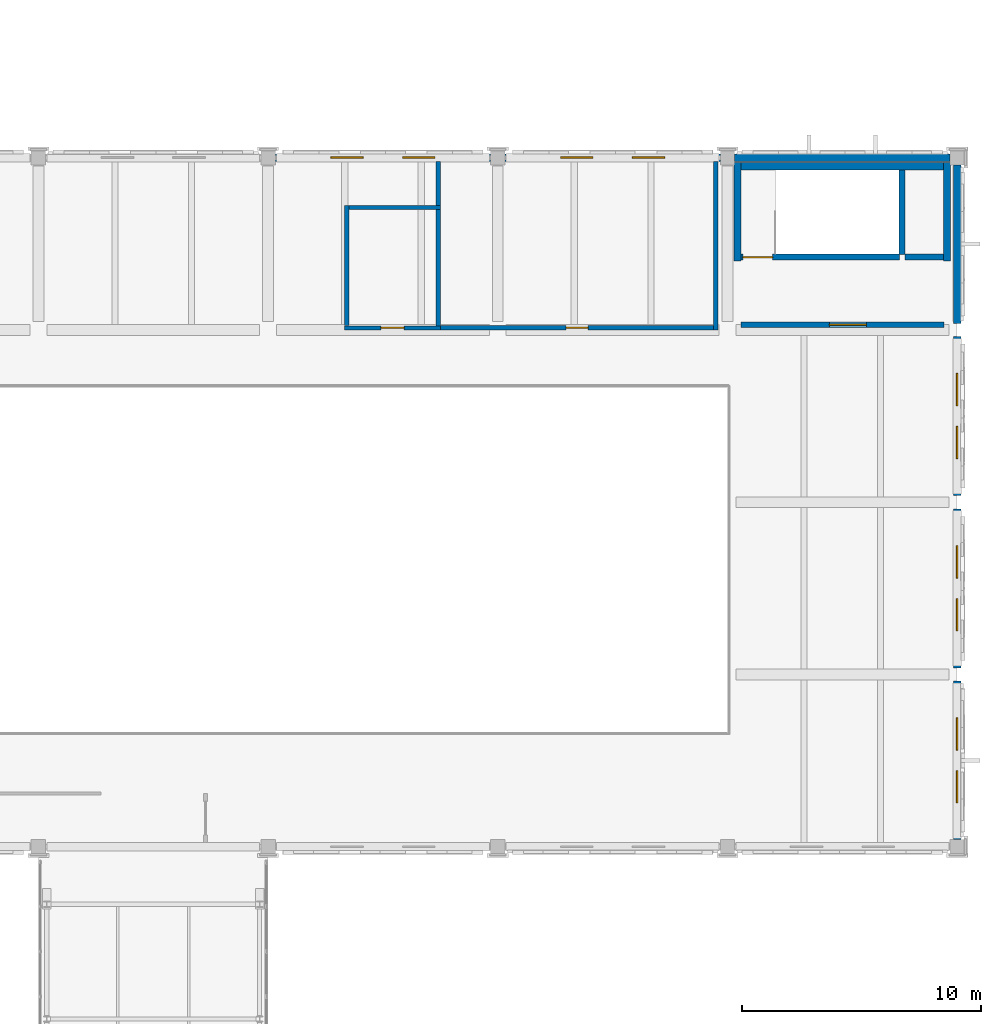
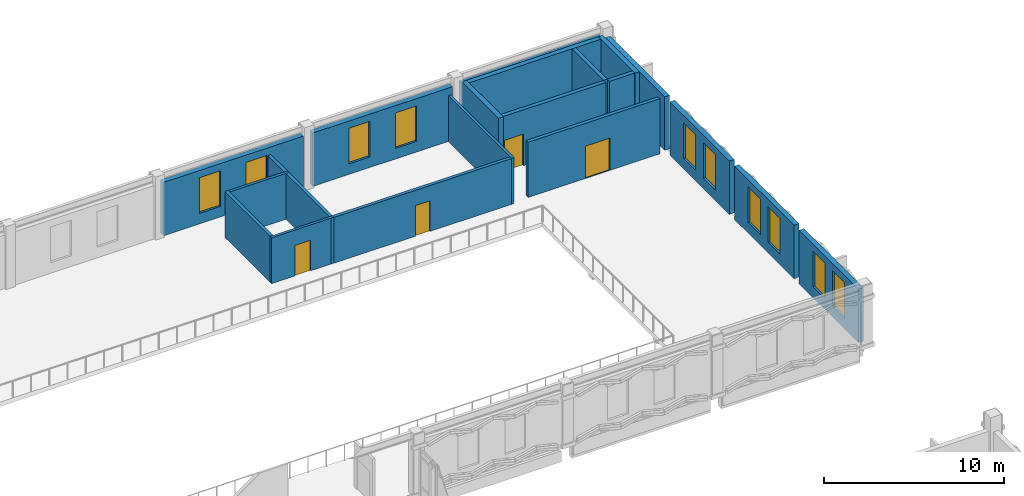
# One storey, part 158 of 180: 20 walls, 10 windows, 4 doors, 14 openings.
"""IFC4 building model written with IfcOpenShell, lengths in metres."""

from ifc_helpers import new_model, si_unit, direction, frame, frame_2d, origin, place, context, subcontext, project, spatial, rectangle, extrude, material, layer, layer_set, type_object, element, fill, save


model = new_model("IFC4")

# Units and contexts
model_context = context("Model", 3, precision=1e-05, world=origin(), true_north=direction((0.0, 1.0)))
body_context = subcontext(model_context, "Body", "Model", "MODEL_VIEW")
ifc_project = project(units=[si_unit("LENGTHUNIT", "METRE"), si_unit("AREAUNIT", "SQUARE_METRE"), si_unit("VOLUMEUNIT", "CUBIC_METRE"), si_unit("PLANEANGLEUNIT", "RADIAN"), si_unit("MASSUNIT", "GRAM", prefix="KILO")], contexts=[model_context])

# Site, building, storey
site_placement = place(None, origin())
site = spatial("IfcSite", under=ifc_project, at=site_placement, CompositionType="ELEMENT")
building_placement = place(site_placement, origin())
building = spatial("IfcBuilding", under=site, at=building_placement, Name="Asteropetra Specialist Clinic", CompositionType="ELEMENT")
storey_placement = place(building_placement, frame((0.0, 0.0, 4.419921875)))
storey = spatial("IfcBuildingStorey", under=building, at=storey_placement, Name="L01", CompositionType="ELEMENT", Elevation=4.419921875)

# Wall, openings, windows
ifc_material_1 = material(Name="Chevron terracotta deep", Category="masonry")
ifc_layer_1 = layer(ifc_material_1, 0.320068359375)
ifc_layer_set_1 = layer_set([ifc_layer_1], Name="Chevron terracotta deep")
wall_type_1 = type_object("IfcWallType", Name="EW-CHEV-TER-320", PredefinedType="SOLIDWALL", material=ifc_layer_set_1)
wall_1_placement = place(storey_placement, frame((134.10009765625, 105.60009765625, 0.0), z_axis=(0.0, 0.0, 1.0), x_axis=(-1.0, 0.0, 0.0)))
wall_1 = element("IfcWall", 1, at=wall_1_placement, inside=storey, type_object=wall_type_1, Name="Exterior Wall EW-0019", PredefinedType="SOLIDWALL", context=body_context, shape_type="SweptSolid", body=[
    extrude(rectangle(XDim=9.0, YDim=0.320068359375, at=frame_2d((4.5, 0.0))), origin(), (0.0, 0.0, 1.0), 3.630126953125),
])
opening_1_placement = place(wall_1_placement, frame((2.324951171875, 0.0, 0.719970703125)))
opening_1 = element("IfcOpeningElement", 2, at=opening_1_placement, cuts=wall_1, Name="Opening W-0019", PredefinedType="OPENING", context=body_context, shape_type="SweptSolid", body=[
    extrude(rectangle(XDim=1.35009765625, YDim=2.419921875, at=frame_2d((0.675048828125, 1.2099609375))), frame((0.0, 0.169921875, 0.0), z_axis=(0.0, -1.0, 0.0), x_axis=(1.0, 0.0, 0.0)), (0.0, 0.0, 1.0), 0.340087890625),
])
opening_2_placement = place(wall_1_placement, frame((5.324951171875, 0.0, 0.719970703125)))
opening_2 = element("IfcOpeningElement", 3, at=opening_2_placement, cuts=wall_1, Name="Opening W-0020", PredefinedType="OPENING", context=body_context, shape_type="SweptSolid", body=[
    extrude(rectangle(XDim=1.35009765625, YDim=2.419921875, at=frame_2d((0.675048828125, 1.2099609375))), frame((0.0, 0.169921875, 0.0), z_axis=(0.0, -1.0, 0.0), x_axis=(1.0, 0.0, 0.0)), (0.0, 0.0, 1.0), 0.340087890625),
])
ifc_material_2 = material(Name="Thermally broken bronze aluminium and low-E glass", Category="aluminium")
window_type = type_object("IfcWindowType", Name="WIN-T23", PartitioningType="DOUBLE_PANEL_VERTICAL", PredefinedType="WINDOW", material=ifc_material_2)
window_1_placement = place(opening_1_placement, origin())
window_1 = element("IfcWindow", 4, at=window_1_placement, inside=storey, type_object=window_type, Name="Window W-0019", OverallHeight=2.419921875, OverallWidth=1.35009765625, PartitioningType="SINGLE_PANEL", PredefinedType="WINDOW", context=body_context, shape_type="SweptSolid", body=[
    extrude(rectangle(XDim=1.35009765625, YDim=2.419921875, at=frame_2d((0.675048828125, 1.2099609375))), frame((0.0, 0.030029296875, 0.0), z_axis=(0.0, -1.0, 0.0), x_axis=(1.0, 0.0, 0.0)), (0.0, 0.0, 1.0), 0.06005859375),
])
fill(opening_1, window_1)
window_2_placement = place(opening_2_placement, origin())
window_2 = element("IfcWindow", 5, at=window_2_placement, inside=storey, type_object=window_type, Name="Window W-0020", OverallHeight=2.419921875, OverallWidth=1.35009765625, PartitioningType="SINGLE_PANEL", PredefinedType="WINDOW", context=body_context, shape_type="SweptSolid", body=[
    extrude(rectangle(XDim=1.35009765625, YDim=2.419921875, at=frame_2d((0.675048828125, 1.2099609375))), frame((0.0, 0.030029296875, 0.0), z_axis=(0.0, -1.0, 0.0), x_axis=(1.0, 0.0, 0.0)), (0.0, 0.0, 1.0), 0.06005859375),
])
fill(opening_2, window_2)

wall_2_placement = place(storey_placement, frame((143.699951171875, 105.60009765625, 0.0), z_axis=(0.0, 0.0, 1.0), x_axis=(-1.0, 0.0, 0.0)))
wall_2 = element("IfcWall", 6, at=wall_2_placement, inside=storey, type_object=wall_type_1, Name="Exterior Wall EW-0021", PredefinedType="SOLIDWALL", context=body_context, shape_type="SweptSolid", body=[
    extrude(rectangle(XDim=9.0, YDim=0.320068359375, at=frame_2d((4.5, 0.0))), origin(), (0.0, 0.0, 1.0), 3.630126953125),
])
opening_3_placement = place(wall_2_placement, frame((2.324951171875, 0.0, 0.719970703125)))
opening_3 = element("IfcOpeningElement", 7, at=opening_3_placement, cuts=wall_2, Name="Opening W-0023", PredefinedType="OPENING", context=body_context, shape_type="SweptSolid", body=[
    extrude(rectangle(XDim=1.35009765625, YDim=2.419921875, at=frame_2d((0.675048828125, 1.2099609375))), frame((0.0, 0.169921875, 0.0), z_axis=(0.0, -1.0, 0.0), x_axis=(1.0, 0.0, 0.0)), (0.0, 0.0, 1.0), 0.340087890625),
])
opening_4_placement = place(wall_2_placement, frame((5.324951171875, 0.0, 0.719970703125)))
opening_4 = element("IfcOpeningElement", 8, at=opening_4_placement, cuts=wall_2, Name="Opening W-0024", PredefinedType="OPENING", context=body_context, shape_type="SweptSolid", body=[
    extrude(rectangle(XDim=1.35009765625, YDim=2.419921875, at=frame_2d((0.675048828125, 1.2099609375))), frame((0.0, 0.169921875, 0.0), z_axis=(0.0, -1.0, 0.0), x_axis=(1.0, 0.0, 0.0)), (0.0, 0.0, 1.0), 0.340087890625),
])
window_3_placement = place(opening_3_placement, origin())
window_3 = element("IfcWindow", 9, at=window_3_placement, inside=storey, type_object=window_type, Name="Window W-0023", OverallHeight=2.419921875, OverallWidth=1.35009765625, PartitioningType="SINGLE_PANEL", PredefinedType="WINDOW", context=body_context, shape_type="SweptSolid", body=[
    extrude(rectangle(XDim=1.35009765625, YDim=2.419921875, at=frame_2d((0.675048828125, 1.2099609375))), frame((0.0, 0.030029296875, 0.0), z_axis=(0.0, -1.0, 0.0), x_axis=(1.0, 0.0, 0.0)), (0.0, 0.0, 1.0), 0.06005859375),
])
fill(opening_3, window_3)
window_4_placement = place(opening_4_placement, origin())
window_4 = element("IfcWindow", 10, at=window_4_placement, inside=storey, type_object=window_type, Name="Window W-0024", OverallHeight=2.419921875, OverallWidth=1.35009765625, PartitioningType="SINGLE_PANEL", PredefinedType="WINDOW", context=body_context, shape_type="SweptSolid", body=[
    extrude(rectangle(XDim=1.35009765625, YDim=2.419921875, at=frame_2d((0.675048828125, 1.2099609375))), frame((0.0, 0.030029296875, 0.0), z_axis=(0.0, -1.0, 0.0), x_axis=(1.0, 0.0, 0.0)), (0.0, 0.0, 1.0), 0.06005859375),
])
fill(opening_4, window_4)

# Wall
wall_3_placement = place(storey_placement, frame((153.300048828125, 105.60009765625, 0.0), z_axis=(0.0, 0.0, 1.0), x_axis=(-1.0, 0.0, 0.0)))
element("IfcWall", 11, at=wall_3_placement, inside=storey, type_object=wall_type_1, Name="Exterior Wall EW-0023", PredefinedType="SOLIDWALL", context=body_context, shape_type="SweptSolid", body=[
    extrude(rectangle(XDim=9.0, YDim=0.320068359375, at=frame_2d((4.5, 0.0))), origin(), (0.0, 0.0, 1.0), 3.630126953125),
])

# Wall, openings, windows
wall_4_placement = place(storey_placement, frame((153.60009765625, 77.10009765625, 0.0), z_axis=(0.0, 0.0, 1.0), x_axis=(0.0, 1.0, 0.0)))
wall_4 = element("IfcWall", 12, at=wall_4_placement, inside=storey, type_object=wall_type_1, Name="Exterior Wall EW-0024", PredefinedType="SOLIDWALL", context=body_context, shape_type="SweptSolid", body=[
    extrude(rectangle(XDim=6.619873046875, YDim=0.320068359375, at=frame_2d((3.31005859375, 0.0))), origin(), (0.0, 0.0, 1.0), 3.630126953125),
])
opening_5_placement = place(wall_4_placement, frame((1.53173828125, 0.0, 0.719970703125)))
opening_5 = element("IfcOpeningElement", 13, at=opening_5_placement, cuts=wall_4, Name="Opening W-0027", PredefinedType="OPENING", context=body_context, shape_type="SweptSolid", body=[
    extrude(rectangle(XDim=1.35009765625, YDim=2.419921875, at=frame_2d((0.675048828125, 1.2099609375))), frame((0.0, 0.169921875, 0.0), z_axis=(0.0, -1.0, 0.0), x_axis=(1.0, 0.0, 0.0)), (0.0, 0.0, 1.0), 0.340087890625),
])
opening_6_placement = place(wall_4_placement, frame((3.73828125, 0.0, 0.719970703125)))
opening_6 = element("IfcOpeningElement", 14, at=opening_6_placement, cuts=wall_4, Name="Opening W-0028", PredefinedType="OPENING", context=body_context, shape_type="SweptSolid", body=[
    extrude(rectangle(XDim=1.35009765625, YDim=2.419921875, at=frame_2d((0.675048828125, 1.2099609375))), frame((0.0, 0.169921875, 0.0), z_axis=(0.0, -1.0, 0.0), x_axis=(1.0, 0.0, 0.0)), (0.0, 0.0, 1.0), 0.340087890625),
])
window_5_placement = place(opening_5_placement, origin())
window_5 = element("IfcWindow", 15, at=window_5_placement, inside=storey, type_object=window_type, Name="Window W-0027", OverallHeight=2.419921875, OverallWidth=1.35009765625, PartitioningType="SINGLE_PANEL", PredefinedType="WINDOW", context=body_context, shape_type="SweptSolid", body=[
    extrude(rectangle(XDim=1.35009765625, YDim=2.419921875, at=frame_2d((0.675048828125, 1.2099609375))), frame((0.0, 0.030029296875, 0.0), z_axis=(0.0, -1.0, 0.0), x_axis=(1.0, 0.0, 0.0)), (0.0, 0.0, 1.0), 0.06005859375),
])
fill(opening_5, window_5)
window_6_placement = place(opening_6_placement, origin())
window_6 = element("IfcWindow", 16, at=window_6_placement, inside=storey, type_object=window_type, Name="Window W-0028", OverallHeight=2.419921875, OverallWidth=1.35009765625, PartitioningType="SINGLE_PANEL", PredefinedType="WINDOW", context=body_context, shape_type="SweptSolid", body=[
    extrude(rectangle(XDim=1.35009765625, YDim=2.419921875, at=frame_2d((0.675048828125, 1.2099609375))), frame((0.0, 0.030029296875, 0.0), z_axis=(0.0, -1.0, 0.0), x_axis=(1.0, 0.0, 0.0)), (0.0, 0.0, 1.0), 0.06005859375),
])
fill(opening_6, window_6)

wall_5_placement = place(storey_placement, frame((153.60009765625, 84.280029296875, 0.0), z_axis=(0.0, 0.0, 1.0), x_axis=(0.0, 1.0, 0.0)))
wall_5 = element("IfcWall", 17, at=wall_5_placement, inside=storey, type_object=wall_type_1, Name="Exterior Wall EW-0026", PredefinedType="SOLIDWALL", context=body_context, shape_type="SweptSolid", body=[
    extrude(rectangle(XDim=6.639892578125, YDim=0.320068359375, at=frame_2d((3.31982421875, 0.0))), origin(), (0.0, 0.0, 1.0), 3.630126953125),
])
opening_7_placement = place(wall_5_placement, frame((1.538330078125, 0.0, 0.719970703125)))
opening_7 = element("IfcOpeningElement", 18, at=opening_7_placement, cuts=wall_5, Name="Opening W-0031", PredefinedType="OPENING", context=body_context, shape_type="SweptSolid", body=[
    extrude(rectangle(XDim=1.35009765625, YDim=2.419921875, at=frame_2d((0.675048828125, 1.2099609375))), frame((0.0, 0.169921875, 0.0), z_axis=(0.0, -1.0, 0.0), x_axis=(1.0, 0.0, 0.0)), (0.0, 0.0, 1.0), 0.340087890625),
])
opening_8_placement = place(wall_5_placement, frame((3.751708984375, 0.0, 0.719970703125)))
opening_8 = element("IfcOpeningElement", 19, at=opening_8_placement, cuts=wall_5, Name="Opening W-0032", PredefinedType="OPENING", context=body_context, shape_type="SweptSolid", body=[
    extrude(rectangle(XDim=1.35009765625, YDim=2.419921875, at=frame_2d((0.675048828125, 1.2099609375))), frame((0.0, 0.169921875, 0.0), z_axis=(0.0, -1.0, 0.0), x_axis=(1.0, 0.0, 0.0)), (0.0, 0.0, 1.0), 0.340087890625),
])
window_7_placement = place(opening_7_placement, origin())
window_7 = element("IfcWindow", 20, at=window_7_placement, inside=storey, type_object=window_type, Name="Window W-0031", OverallHeight=2.419921875, OverallWidth=1.35009765625, PartitioningType="SINGLE_PANEL", PredefinedType="WINDOW", context=body_context, shape_type="SweptSolid", body=[
    extrude(rectangle(XDim=1.35009765625, YDim=2.419921875, at=frame_2d((0.675048828125, 1.2099609375))), frame((0.0, 0.030029296875, 0.0), z_axis=(0.0, -1.0, 0.0), x_axis=(1.0, 0.0, 0.0)), (0.0, 0.0, 1.0), 0.06005859375),
])
fill(opening_7, window_7)
window_8_placement = place(opening_8_placement, origin())
window_8 = element("IfcWindow", 21, at=window_8_placement, inside=storey, type_object=window_type, Name="Window W-0032", OverallHeight=2.419921875, OverallWidth=1.35009765625, PartitioningType="SINGLE_PANEL", PredefinedType="WINDOW", context=body_context, shape_type="SweptSolid", body=[
    extrude(rectangle(XDim=1.35009765625, YDim=2.419921875, at=frame_2d((0.675048828125, 1.2099609375))), frame((0.0, 0.030029296875, 0.0), z_axis=(0.0, -1.0, 0.0), x_axis=(1.0, 0.0, 0.0)), (0.0, 0.0, 1.0), 0.06005859375),
])
fill(opening_8, window_8)

wall_6_placement = place(storey_placement, frame((153.60009765625, 91.47998046875, 0.0), z_axis=(0.0, 0.0, 1.0), x_axis=(0.0, 1.0, 0.0)))
wall_6 = element("IfcWall", 22, at=wall_6_placement, inside=storey, type_object=wall_type_1, Name="Exterior Wall EW-0028", PredefinedType="SOLIDWALL", context=body_context, shape_type="SweptSolid", body=[
    extrude(rectangle(XDim=6.64013671875, YDim=0.320068359375, at=frame_2d((3.320068359375, 0.0))), origin(), (0.0, 0.0, 1.0), 3.630126953125),
])
opening_9_placement = place(wall_6_placement, frame((1.538330078125, 0.0, 0.719970703125)))
opening_9 = element("IfcOpeningElement", 23, at=opening_9_placement, cuts=wall_6, Name="Opening W-0035", PredefinedType="OPENING", context=body_context, shape_type="SweptSolid", body=[
    extrude(rectangle(XDim=1.35009765625, YDim=2.419921875, at=frame_2d((0.675048828125, 1.2099609375))), frame((0.0, 0.169921875, 0.0), z_axis=(0.0, -1.0, 0.0), x_axis=(1.0, 0.0, 0.0)), (0.0, 0.0, 1.0), 0.340087890625),
])
opening_10_placement = place(wall_6_placement, frame((3.751708984375, 0.0, 0.719970703125)))
opening_10 = element("IfcOpeningElement", 24, at=opening_10_placement, cuts=wall_6, Name="Opening W-0036", PredefinedType="OPENING", context=body_context, shape_type="SweptSolid", body=[
    extrude(rectangle(XDim=1.35009765625, YDim=2.419921875, at=frame_2d((0.675048828125, 1.2099609375))), frame((0.0, 0.169921875, 0.0), z_axis=(0.0, -1.0, 0.0), x_axis=(1.0, 0.0, 0.0)), (0.0, 0.0, 1.0), 0.340087890625),
])
window_9_placement = place(opening_9_placement, origin())
window_9 = element("IfcWindow", 25, at=window_9_placement, inside=storey, type_object=window_type, Name="Window W-0035", OverallHeight=2.419921875, OverallWidth=1.35009765625, PartitioningType="SINGLE_PANEL", PredefinedType="WINDOW", context=body_context, shape_type="SweptSolid", body=[
    extrude(rectangle(XDim=1.35009765625, YDim=2.419921875, at=frame_2d((0.675048828125, 1.2099609375))), frame((0.0, 0.030029296875, 0.0), z_axis=(0.0, -1.0, 0.0), x_axis=(1.0, 0.0, 0.0)), (0.0, 0.0, 1.0), 0.06005859375),
])
fill(opening_9, window_9)
window_10_placement = place(opening_10_placement, origin())
window_10 = element("IfcWindow", 26, at=window_10_placement, inside=storey, type_object=window_type, Name="Window W-0036", OverallHeight=2.419921875, OverallWidth=1.35009765625, PartitioningType="SINGLE_PANEL", PredefinedType="WINDOW", context=body_context, shape_type="SweptSolid", body=[
    extrude(rectangle(XDim=1.35009765625, YDim=2.419921875, at=frame_2d((0.675048828125, 1.2099609375))), frame((0.0, 0.030029296875, 0.0), z_axis=(0.0, -1.0, 0.0), x_axis=(1.0, 0.0, 0.0)), (0.0, 0.0, 1.0), 0.06005859375),
])
fill(opening_10, window_10)

# Wall
wall_7_placement = place(storey_placement, frame((153.60009765625, 98.679931640625, 0.0), z_axis=(0.0, 0.0, 1.0), x_axis=(0.0, 1.0, 0.0)))
element("IfcWall", 27, at=wall_7_placement, inside=storey, type_object=wall_type_1, Name="Exterior Wall EW-0030", PredefinedType="SOLIDWALL", context=body_context, shape_type="SweptSolid", body=[
    extrude(rectangle(XDim=6.6201171875, YDim=0.320068359375, at=frame_2d((3.31005859375, 0.0))), origin(), (0.0, 0.0, 1.0), 3.630126953125),
])

# Wall, opening, door
ifc_material_3 = material(Name="Fire-rated masonry and gypsum", Category="masonry")
ifc_layer_2 = layer(ifc_material_3, 0.219970703125)
ifc_layer_set_2 = layer_set([ifc_layer_2], Name="Fire-rated masonry and gypsum")
wall_type_2 = type_object("IfcWallType", Name="W-COMP-220", PredefinedType="PARTITIONING", material=ifc_layer_set_2)
wall_8_placement = place(storey_placement, frame((144.56005859375, 98.6201171875, 0.0), z_axis=(0.0, 0.0, 1.0), x_axis=(1.0, 0.0, 0.0)))
wall_8 = element("IfcWall", 28, at=wall_8_placement, inside=storey, type_object=wall_type_2, Name="Core Wall CW-C12-L01-LOB", PredefinedType="PARTITIONING", context=body_context, shape_type="SweptSolid", body=[
    extrude(rectangle(XDim=8.47998046875, YDim=0.219970703125, at=frame_2d((4.239990234375, 0.0))), origin(), (0.0, 0.0, 1.0), 3.75),
])
opening_11_placement = place(wall_8_placement, frame((3.699951171875, 0.0, 0.0)))
opening_11 = element("IfcOpeningElement", 29, at=opening_11_placement, cuts=wall_8, Name="Opening FD-102", PredefinedType="OPENING", context=body_context, shape_type="SweptSolid", body=[
    extrude(rectangle(XDim=1.550048828125, YDim=2.199951171875, at=frame_2d((0.77490234375, 1.10009765625))), frame((0.0, 0.119873046875, 0.0), z_axis=(0.0, -1.0, 0.0), x_axis=(1.0, 0.0, 0.0)), (0.0, 0.0, 1.0), 0.239990234375),
])
ifc_material_4 = material(Name="Fire-rated steel and vision glass door", Category="steel")
door_type_1 = type_object("IfcDoorType", Name="FD-LOBBY-1550", OperationType="DOUBLE_DOOR_SINGLE_SWING", PredefinedType="DOOR", material=ifc_material_4)
door_1_placement = place(opening_11_placement, origin())
door_1 = element("IfcDoor", 30, at=door_1_placement, inside=storey, type_object=door_type_1, Name="Lobby Fire Door FD-102", OperationType="DOUBLE_DOOR_SINGLE_SWING", OverallHeight=2.199951171875, OverallWidth=1.550048828125, PredefinedType="DOOR", context=body_context, shape_type="SweptSolid", body=[
    extrude(rectangle(XDim=1.550048828125, YDim=2.199951171875, at=frame_2d((0.77490234375, 1.10009765625))), frame((0.0, 0.02490234375, 0.0), z_axis=(0.0, -1.0, 0.0), x_axis=(1.0, 0.0, 0.0)), (0.0, 0.0, 1.0), 0.050048828125),
])
fill(opening_11, door_1)

# Walls
ifc_material_5 = material(Name="Concrete C35/45", Category="concrete")
ifc_layer_3 = layer(ifc_material_5, 0.300048828125)
ifc_layer_set_3 = layer_set([ifc_layer_3], Name="Concrete C35/45")
wall_type_3 = type_object("IfcWallType", Name="W-CORE-300", PredefinedType="SHEAR", material=ifc_layer_set_3)
for number, where, z_axis, x_axis, name in (
    (31, (144.419921875, 101.2900390625, 0.0), (0.0, 0.0, 1.0), (0.0, 1.0, 0.0), "Core Wall CW-C12-L01-W"),
    (32, (153.179931640625, 101.2900390625, 0.0), (0.0, 0.0, 1.0), (0.0, 1.0, 0.0), "Core Wall CW-C12-L01-E"),
):
    element("IfcWall", number, at=place(storey_placement, frame(where, z_axis=z_axis, x_axis=x_axis)), inside=storey, type_object=wall_type_3, Name=name, PredefinedType="SHEAR", context=body_context, shape_type="SweptSolid", body=[
        extrude(rectangle(XDim=4.099853515625, YDim=0.300048828125, at=frame_2d((2.0498046875, 0.0))), origin(), (0.0, 0.0, 1.0), 3.800048828125),
    ])
wall_9_placement = place(storey_placement, frame((144.56494140625, 105.239990234375, 0.0), z_axis=(0.0, 0.0, 1.0), x_axis=(1.0, 0.0, 0.0)))
element("IfcWall", 33, at=wall_9_placement, inside=storey, type_object=wall_type_3, Name="Core Wall CW-C12-L01-BACK", PredefinedType="SHEAR", context=body_context, shape_type="SweptSolid", body=[
    extrude(rectangle(XDim=8.469970703125, YDim=0.300048828125, at=frame_2d((4.23486328125, 0.0))), origin(), (0.0, 0.0, 1.0), 3.800048828125),
])

# Wall, opening, door
ifc_material_6 = material(Name="En-suite plumbing wall", Category="masonry")
ifc_layer_4 = layer(ifc_material_6, 0.169921875)
ifc_layer_set_4 = layer_set([ifc_layer_4], Name="En-suite plumbing wall")
wall_type_4 = type_object("IfcWallType", Name="W-PLUMB-170", PredefinedType="PLUMBINGWALL", material=ifc_layer_set_4)
wall_10_placement = place(storey_placement, frame((127.9951171875, 98.489990234375, 0.0), z_axis=(0.0, 0.0, 1.0), x_axis=(1.0, 0.0, 0.0)))
wall_10 = element("IfcWall", 34, at=wall_10_placement, inside=storey, type_object=wall_type_4, Name="Interior Partition PW-0073", PredefinedType="PLUMBINGWALL", context=body_context, shape_type="SweptSolid", body=[
    extrude(rectangle(XDim=4.009765625, YDim=0.169921875, at=frame_2d((2.0048828125, 0.0))), origin(), (0.0, 0.0, 1.0), 3.1201171875),
])
opening_12_placement = place(wall_10_placement, frame((1.514892578125, 0.0, 0.0)))
opening_12 = element("IfcOpeningElement", 35, at=opening_12_placement, cuts=wall_10, Name="Opening ID-0047", PredefinedType="OPENING", context=body_context, shape_type="SweptSolid", body=[
    extrude(rectangle(XDim=0.97998046875, YDim=2.080078125, at=frame_2d((0.489990234375, 1.0400390625))), frame((0.0, 0.094970703125, 0.0), z_axis=(0.0, -1.0, 0.0), x_axis=(1.0, 0.0, 0.0)), (0.0, 0.0, 1.0), 0.18994140625),
])
ifc_material_7 = material(Name="Antimicrobial laminate timber leaf in steel frame", Category="steel")
door_type_2 = type_object("IfcDoorType", Name="ID-AWC-0980", OperationType="NOTDEFINED", PredefinedType="DOOR", material=ifc_material_7)
door_2_placement = place(opening_12_placement, origin())
door_2 = element("IfcDoor", 36, at=door_2_placement, inside=storey, type_object=door_type_2, Name="Interior Door ID-0047", OperationType="SINGLE_SWING_RIGHT", OverallHeight=2.080078125, OverallWidth=0.97998046875, PredefinedType="DOOR", context=body_context, shape_type="SweptSolid", body=[
    extrude(rectangle(XDim=0.97998046875, YDim=2.080078125, at=frame_2d((0.489990234375, 1.0400390625))), frame((0.0, 0.02490234375, 0.0), z_axis=(0.0, -1.0, 0.0), x_axis=(1.0, 0.0, 0.0)), (0.0, 0.0, 1.0), 0.050048828125),
])
fill(opening_12, door_2)

# Walls
wall_11_placement = place(storey_placement, frame((128.19189453125, 103.510009765625, 0.0), z_axis=(0.0, 0.0, 1.0), x_axis=(1.0, 0.0, 0.0)))
element("IfcWall", 37, at=wall_11_placement, inside=storey, type_object=wall_type_4, Name="Interior Partition PW-0075", PredefinedType="PLUMBINGWALL", context=body_context, shape_type="SweptSolid", body=[
    extrude(rectangle(XDim=3.81298828125, YDim=0.169921875, at=frame_2d((1.906494140625, 0.0))), origin(), (0.0, 0.0, 1.0), 3.1201171875),
])
wall_12_placement = place(storey_placement, frame((143.510009765625, 98.39501953125, 0.0), z_axis=(0.0, 0.0, 1.0), x_axis=(0.0, 1.0, 0.0)))
element("IfcWall", 38, at=wall_12_placement, inside=storey, type_object=wall_type_4, Name="Interior Partition PW-0077", PredefinedType="PLUMBINGWALL", context=body_context, shape_type="SweptSolid", body=[
    extrude(rectangle(XDim=7.04296875, YDim=0.169921875, at=frame_2d((3.521484375, 0.0))), origin(), (0.0, 0.0, 1.0), 3.1201171875),
])
ifc_material_8 = material(Name="Sanitary service-chase wall", Category="masonry")
ifc_layer_5 = layer(ifc_material_8, 0.199951171875)
ifc_layer_set_5 = layer_set([ifc_layer_5], Name="Sanitary service-chase wall")
wall_type_5 = type_object("IfcWallType", Name="W-PLUMB-200", PredefinedType="PLUMBINGWALL", material=ifc_layer_set_5)
wall_13_placement = place(storey_placement, frame((128.090087890625, 98.576904296875, 0.0), z_axis=(0.0, 0.0, 1.0), x_axis=(0.0, 1.0, 0.0)))
element("IfcWall", 39, at=wall_13_placement, inside=storey, type_object=wall_type_5, Name="Interior Partition PW-0074", PredefinedType="PLUMBINGWALL", context=body_context, shape_type="SweptSolid", body=[
    extrude(rectangle(XDim=5.028076171875, YDim=0.199951171875, at=frame_2d((2.51416015625, 0.0))), origin(), (0.0, 0.0, 1.0), 3.1201171875),
])
wall_14_placement = place(storey_placement, frame((131.909912109375, 98.39501953125, 0.0), z_axis=(0.0, 0.0, 1.0), x_axis=(0.0, 1.0, 0.0)))
element("IfcWall", 40, at=wall_14_placement, inside=storey, type_object=wall_type_5, Name="Interior Partition PW-0076", PredefinedType="PLUMBINGWALL", context=body_context, shape_type="SweptSolid", body=[
    extrude(rectangle(XDim=7.04296875, YDim=0.199951171875, at=frame_2d((3.521484375, 0.0))), origin(), (0.0, 0.0, 1.0), 3.1201171875),
])

# Wall, opening, door
wall_15_placement = place(storey_placement, frame((132.011962890625, 98.489990234375, 0.0), z_axis=(0.0, 0.0, 1.0), x_axis=(1.0, 0.0, 0.0)))
wall_15 = element("IfcWall", 41, at=wall_15_placement, inside=storey, type_object=wall_type_5, Name="Interior Partition PW-0078", PredefinedType="PLUMBINGWALL", context=body_context, shape_type="SweptSolid", body=[
    extrude(rectangle(XDim=11.4111328125, YDim=0.199951171875, at=frame_2d((5.70556640625, 0.0))), origin(), (0.0, 0.0, 1.0), 3.1201171875),
])
opening_13_placement = place(wall_15_placement, frame((5.24560546875, 0.0, 0.0)))
opening_13 = element("IfcOpeningElement", 42, at=opening_13_placement, cuts=wall_15, Name="Opening ID-0048", PredefinedType="OPENING", context=body_context, shape_type="SweptSolid", body=[
    extrude(rectangle(XDim=0.919921875, YDim=2.080078125, at=frame_2d((0.4599609375, 1.0400390625))), frame((0.0, 0.10986328125, 0.0), z_axis=(0.0, -1.0, 0.0), x_axis=(1.0, 0.0, 0.0)), (0.0, 0.0, 1.0), 0.219970703125),
])
ifc_material_9 = material(Name="Antimicrobial laminate timber leaf in steel frame", Category="steel")
door_type_3 = type_object("IfcDoorType", Name="ID-WC-0920", OperationType="NOTDEFINED", PredefinedType="DOOR", material=ifc_material_9)
door_3_placement = place(opening_13_placement, origin())
door_3 = element("IfcDoor", 43, at=door_3_placement, inside=storey, type_object=door_type_3, Name="Interior Door ID-0048", OperationType="SINGLE_SWING_LEFT", OverallHeight=2.080078125, OverallWidth=0.919921875, PredefinedType="DOOR", context=body_context, shape_type="SweptSolid", body=[
    extrude(rectangle(XDim=0.919921875, YDim=2.080078125, at=frame_2d((0.4599609375, 1.0400390625))), frame((0.0, 0.02490234375, 0.0), z_axis=(0.0, -1.0, 0.0), x_axis=(1.0, 0.0, 0.0)), (0.0, 0.0, 1.0), 0.050048828125),
])
fill(opening_13, door_3)

# Wall
ifc_material_10 = material(Name="Concrete C35/45", Category="concrete")
ifc_layer_6 = layer(ifc_material_10, 0.25)
ifc_layer_set_6 = layer_set([ifc_layer_6], Name="Concrete C35/45")
wall_type_6 = type_object("IfcWallType", Name="W-SHAFT-250", PredefinedType="SHEAR", material=ifc_layer_set_6)
wall_16_placement = place(storey_placement, frame((151.300048828125, 101.56005859375, 0.0), z_axis=(0.0, 0.0, 1.0), x_axis=(0.0, 1.0, 0.0)))
element("IfcWall", 44, at=wall_16_placement, inside=storey, type_object=wall_type_6, Name="Core Wall CW-C12-L01-MID", PredefinedType="SHEAR", context=body_context, shape_type="SweptSolid", body=[
    extrude(rectangle(XDim=3.530029296875, YDim=0.25, at=frame_2d((1.76513671875, 0.0))), origin(), (0.0, 0.0, 1.0), 3.800048828125),
])

# Wall, opening, door
wall_17_placement = place(storey_placement, frame((144.56494140625, 101.43994140625, 0.0), z_axis=(0.0, 0.0, 1.0), x_axis=(1.0, 0.0, 0.0)))
wall_17 = element("IfcWall", 45, at=wall_17_placement, inside=storey, type_object=wall_type_6, Name="Core Wall CW-C12-L01-STDIV", PredefinedType="SHEAR", context=body_context, shape_type="SweptSolid", body=[
    extrude(rectangle(XDim=6.614990234375, YDim=0.25, at=frame_2d((3.3076171875, 0.0))), origin(), (0.0, 0.0, 1.0), 3.800048828125),
])
opening_14_placement = place(wall_17_placement, frame((0.080078125, 0.0, 0.0)))
opening_14 = element("IfcOpeningElement", 46, at=opening_14_placement, cuts=wall_17, Name="Opening FD-101", PredefinedType="OPENING", context=body_context, shape_type="SweptSolid", body=[
    extrude(rectangle(XDim=1.239990234375, YDim=2.14990234375, at=frame_2d((0.6201171875, 1.074951171875))), frame((0.0, 0.135009765625, 0.0), z_axis=(0.0, -1.0, 0.0), x_axis=(1.0, 0.0, 0.0)), (0.0, 0.0, 1.0), 0.27001953125),
])
ifc_material_11 = material(Name="Fire-rated steel and vision glass door", Category="steel")
door_type_4 = type_object("IfcDoorType", Name="FD-STAIR-1400", OperationType="DOUBLE_DOOR_SINGLE_SWING", PredefinedType="DOOR", material=ifc_material_11)
door_4_placement = place(opening_14_placement, origin())
door_4 = element("IfcDoor", 47, at=door_4_placement, inside=storey, type_object=door_type_4, Name="Stair Fire Door FD-101", OperationType="DOUBLE_DOOR_SINGLE_SWING", OverallHeight=2.14990234375, OverallWidth=1.239990234375, PredefinedType="DOOR", context=body_context, shape_type="SweptSolid", body=[
    extrude(rectangle(XDim=1.239990234375, YDim=2.14990234375, at=frame_2d((0.6201171875, 1.074951171875))), frame((0.0, 0.02490234375, 0.0), z_axis=(0.0, -1.0, 0.0), x_axis=(1.0, 0.0, 0.0)), (0.0, 0.0, 1.0), 0.050048828125),
])
fill(opening_14, door_4)

# Wall
wall_18_placement = place(storey_placement, frame((151.419921875, 101.43994140625, 0.0), z_axis=(0.0, 0.0, 1.0), x_axis=(1.0, 0.0, 0.0)))
element("IfcWall", 48, at=wall_18_placement, inside=storey, type_object=wall_type_6, Name="Lift Shaft Front Wall CW-C12-L01-LFTF", PredefinedType="SHEAR", context=body_context, shape_type="SweptSolid", body=[
    extrude(rectangle(XDim=1.614990234375, YDim=0.25, at=frame_2d((0.8076171875, 0.0))), origin(), (0.0, 0.0, 1.0), 3.800048828125),
])

save(model, "model.ifc")
